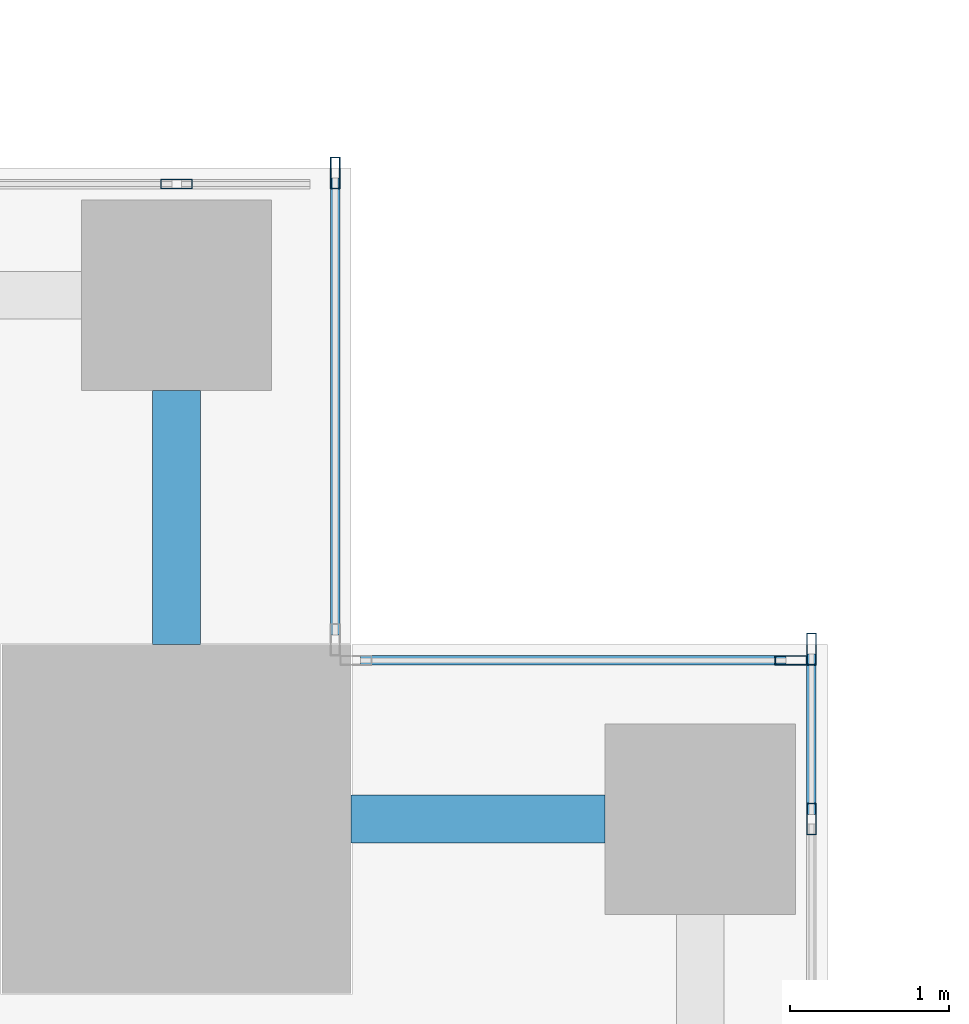
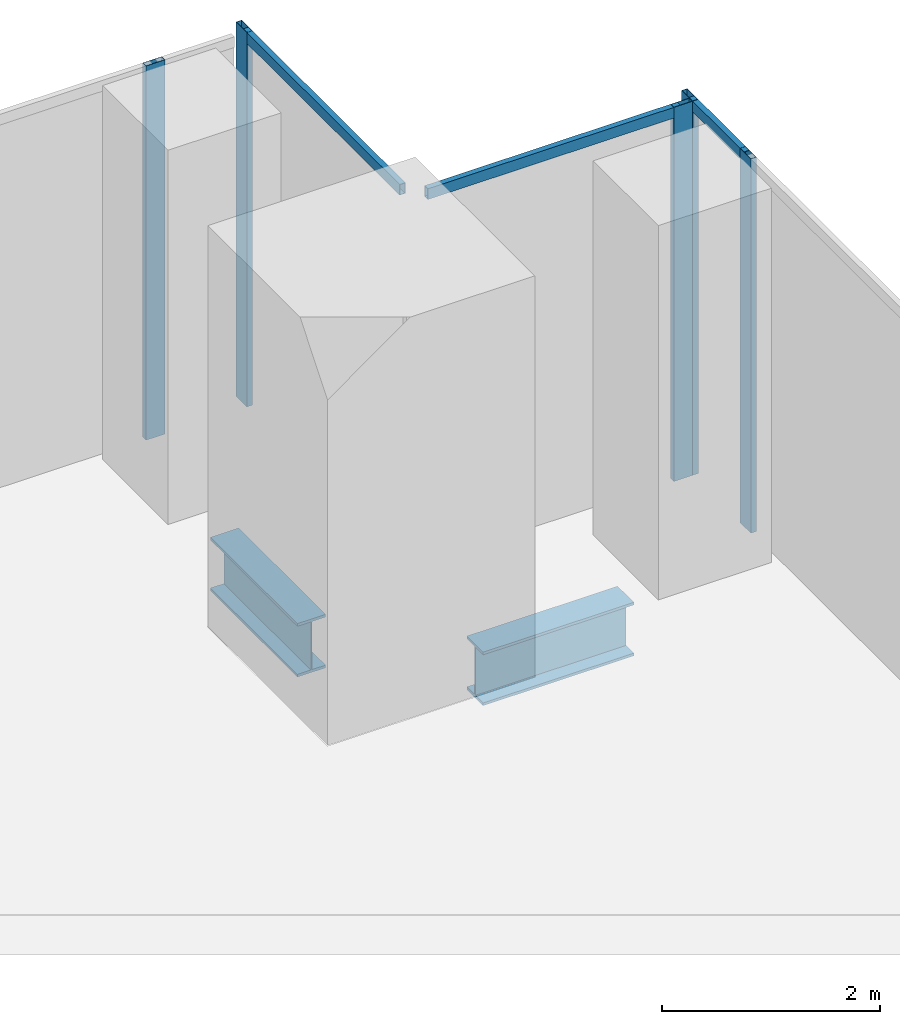
# One storey, part 19 of 32: 8 members, 2 beams, 4 elements without a shape of their own.
"""IFC4 building model written with IfcOpenShell, lengths in metres."""

import ifcopenshell
import ifcopenshell.guid

model = None  # the IFC model being written
_history = None  # IfcOwnerHistory: only IFC2X3 demands one
_inside = {}  # id of a spatial element -> (the spatial element, [elements in it])
_under = {}  # id of a project, library or spatial element -> (it, [spatial elements below it])
_declared = {}  # id of a project -> (the project, [libraries it declares])
_typed = {}  # id of a type object -> (the type object, [elements of that type])
_made_of = {}  # id of a material, layer set ... -> (it, [elements and type objects made of it])


def new_model(schema):
    """Start an empty IFC model of exactly this schema.

    Asked for "IFC4X3", IfcOpenShell would pick the latest addendum, in which some entities
    have other attributes; the version numbers below select the first issue.
    IFC2X3 requires an IfcOwnerHistory on every rooted entity: one is made here for all.
    """
    global model, _history
    if schema == "IFC4X3":
        model = ifcopenshell.file(schema_version=(4, 3, 0, 0))
    else:
        model = ifcopenshell.file(schema=schema)
    _inside.clear()
    _under.clear()
    _declared.clear()
    _typed.clear()
    _made_of.clear()
    _history = None
    if model.schema == "IFC2X3":
        org = make("IfcOrganization", Name="unknown")
        user = make(
            "IfcPersonAndOrganization",
            ThePerson=make("IfcPerson", FamilyName="unknown"),
            TheOrganization=org,
        )
        app = make(
            "IfcApplication",
            ApplicationDeveloper=org,
            Version="unknown",
            ApplicationFullName="unknown",
            ApplicationIdentifier="unknown",
        )
        _history = make(
            "IfcOwnerHistory",
            OwningUser=user,
            OwningApplication=app,
            ChangeAction="ADDED",
            CreationDate=0,
        )
    return model


def make(cls, **values):
    """One entity of the class cls with the attributes given. An attribute that is None is left unset."""
    return model.create_entity(
        cls, **{name: value for name, value in values.items() if value is not None}
    )


def rooted(cls, **values):
    """An entity with a GlobalId (a new one), such as an element, a storey or a relation."""
    return make(cls, GlobalId=ifcopenshell.guid.new(), OwnerHistory=_history, **values)


def si_unit(unit_type, name, prefix=None):
    """IfcSIUnit, for example si_unit("LENGTHUNIT", "METRE", prefix="MILLI")."""
    return make("IfcSIUnit", UnitType=unit_type, Prefix=prefix, Name=name)


def assignment(units):
    """IfcUnitAssignment: the units of a project."""
    return None if units is None else make("IfcUnitAssignment", Units=units)


def point(xyz):
    """IfcCartesianPoint."""
    return None if xyz is None else make("IfcCartesianPoint", Coordinates=xyz)


def direction(xyz):
    """IfcDirection."""
    return None if xyz is None else make("IfcDirection", DirectionRatios=xyz)


def frame(location, z_axis=None, x_axis=None):
    """IfcAxis2Placement3D, a coordinate frame: its origin and axes. An axis left out is left unset."""
    return make(
        "IfcAxis2Placement3D",
        Location=point(location),
        Axis=direction(z_axis),
        RefDirection=direction(x_axis),
    )


def frame_2d(location, x_axis=None):
    """IfcAxis2Placement2D, a coordinate frame in the plane: its origin and x axis."""
    return make(
        "IfcAxis2Placement2D", Location=point(location), RefDirection=direction(x_axis)
    )


def origin():
    """The frame at (0, 0, 0) with its axes left unset."""
    return frame((0.0, 0.0, 0.0))


def origin_2d():
    """The frame at (0, 0) in the plane with its x axis left unset."""
    return frame_2d((0.0, 0.0))


def place(relative_to, where):
    """IfcLocalPlacement: puts the frame where relative to a parent placement (None: the world)."""
    return make(
        "IfcLocalPlacement", PlacementRelTo=relative_to, RelativePlacement=where
    )


def context(
    kind, dimensions, precision=None, world=None, true_north=None, identifier=None
):
    """IfcGeometricRepresentationContext, for example the 3D "Model" context."""
    return make(
        "IfcGeometricRepresentationContext",
        ContextIdentifier=identifier,
        ContextType=kind,
        CoordinateSpaceDimension=dimensions,
        Precision=precision,
        WorldCoordinateSystem=world,
        TrueNorth=true_north,
    )


def subcontext(parent, identifier, kind, view, scale=None):
    """IfcGeometricRepresentationSubContext, for example "Body" below "Model"."""
    return make(
        "IfcGeometricRepresentationSubContext",
        ContextIdentifier=identifier,
        ContextType=kind,
        ParentContext=parent,
        TargetScale=scale,
        TargetView=view,
    )


def project(units=None, contexts=None):
    """IfcProject with its units and contexts."""
    return rooted(
        "IfcProject",
        Name="project",
        RepresentationContexts=contexts,
        UnitsInContext=assignment(units),
    )


def spatial(cls, under=None, at=None, **own):
    """A site, building, storey or space (cls), placed at a placement, below another one or the project."""
    s = rooted(cls, ObjectPlacement=at, **own)
    if under is not None:
        _under.setdefault(under.id(), (under, []))[1].append(s)
    return s


def profile(cls, at=None, kind="AREA", **sizes):
    """A parametric profile (cls). Its sizes go by their IFC names, for example OverallWidth=200.0."""
    return make(cls, ProfileType=kind, Position=at, **sizes)


def hollow_rectangle(**sizes):
    """IfcRectangleHollowProfileDef."""
    return profile("IfcRectangleHollowProfileDef", **sizes)


def i_section(**sizes):
    """IfcIShapeProfileDef."""
    return profile("IfcIShapeProfileDef", **sizes)


def extrude(swept, where, along, depth):
    """IfcExtrudedAreaSolid: the profile swept, set in the frame where, extruded along a direction by depth."""
    return make(
        "IfcExtrudedAreaSolid",
        SweptArea=swept,
        Position=where,
        ExtrudedDirection=direction(along),
        Depth=depth,
    )


def shape(context_of_items, identifier, shape_type, items):
    """IfcShapeRepresentation: the items that make up one representation, for example the "Body"."""
    return make(
        "IfcShapeRepresentation",
        ContextOfItems=context_of_items,
        RepresentationIdentifier=identifier,
        RepresentationType=shape_type,
        Items=items,
    )


def source(mapping_origin, context_of_items, identifier, shape_type, items):
    """IfcRepresentationMap: a shape defined once, which mapped items show again and again."""
    return make(
        "IfcRepresentationMap",
        MappingOrigin=mapping_origin,
        MappedRepresentation=shape(context_of_items, identifier, shape_type, items),
    )


def transform(
    local_origin,
    x_axis=None,
    y_axis=None,
    z_axis=None,
    scale=None,
    scale2=None,
    scale3=None,
    uniform=True,
):
    """IfcCartesianTransformationOperator3D, or its non-uniform kind. x_axis, y_axis, z_axis: its Axis1, 2, 3."""
    if uniform:
        return make(
            "IfcCartesianTransformationOperator3D",
            Axis1=direction(x_axis),
            Axis2=direction(y_axis),
            LocalOrigin=point(local_origin),
            Scale=scale,
            Axis3=direction(z_axis),
        )
    return make(
        "IfcCartesianTransformationOperator3DnonUniform",
        Axis1=direction(x_axis),
        Axis2=direction(y_axis),
        LocalOrigin=point(local_origin),
        Scale=scale,
        Axis3=direction(z_axis),
        Scale2=scale2,
        Scale3=scale3,
    )


def mapped(mapping_source, mapping_target):
    """IfcMappedItem: shows the shape of a source again, moved by a transform."""
    return make(
        "IfcMappedItem", MappingSource=mapping_source, MappingTarget=mapping_target
    )


def material(Name=None, Category=None):
    """IfcMaterial."""
    return make("IfcMaterial", Name=Name, Category=Category)


def material_profile(
    of_material, cross_section, Name=None, Category=None, Priority=None
):
    """IfcMaterialProfile: a cross section and its material."""
    return make(
        "IfcMaterialProfile",
        Name=Name,
        Material=of_material,
        Profile=cross_section,
        Priority=Priority,
        Category=Category,
    )


def profile_set(profiles, Name=None, composite=None):
    """IfcMaterialProfileSet."""
    return make(
        "IfcMaterialProfileSet",
        Name=Name,
        MaterialProfiles=profiles,
        CompositeProfile=composite,
    )


def made_of(thing, what):
    """Note that an element or type object is made of a material, layer set ...; save() writes the relation."""
    if what is not None:
        _made_of.setdefault(what.id(), (what, []))[1].append(thing)
    return thing


def type_object(cls, material=None, **own):
    """A type object (cls), such as IfcWallType, which elements share."""
    return made_of(rooted(cls, **own), material)


def element(
    cls,
    number,
    at=None,
    inside=None,
    cuts=None,
    type_object=None,
    material=None,
    context=None,
    identifier="Body",
    shape_type=None,
    held_by="IfcProductDefinitionShape",
    body=None,
    shapes=None,
    **own,
):
    """One element of the class cls, such as IfcWall. Its Tag is "e" and its number.

    at: its placement. inside: the storey or other place that contains it. cuts: it is an
    opening in that element (IfcRelVoidsElement). A single representation is given by context,
    identifier, shape_type and body (its items); several are given by shapes. held_by: the class
    of the entity that holds the representations. save() writes the other relations.
    """
    e = rooted(cls, Tag="e%d" % number, ObjectPlacement=at, **own)
    if body is not None:
        shapes = [shape(context, identifier, shape_type, body)]
    if shapes is not None:
        e.Representation = make(held_by, Representations=shapes)
    if inside is not None:
        _inside.setdefault(inside.id(), (inside, []))[1].append(e)
    if cuts is not None:
        rooted(
            "IfcRelVoidsElement", RelatingBuildingElement=cuts, RelatedOpeningElement=e
        )
    if type_object is not None:
        _typed.setdefault(type_object.id(), (type_object, []))[1].append(e)
    return made_of(e, material)


def aggregate(whole, parts):
    """IfcRelAggregates: a whole, such as a stair, and the parts it consists of."""
    return rooted("IfcRelAggregates", RelatingObject=whole, RelatedObjects=parts)


def save(model, path):
    """Write the relations noted so far, then the file.

    IfcRelAggregates (storeys below a building ...), IfcRelContainedInSpatialStructure (elements
    in a storey), IfcRelDefinesByType, IfcRelAssociatesMaterial and IfcRelDeclares: one each for
    every whole, place, type object, material and project.
    """
    for whole, parts in _under.values():
        aggregate(whole, parts)
    for where, things in _inside.values():
        rooted(
            "IfcRelContainedInSpatialStructure",
            RelatedElements=things,
            RelatingStructure=where,
        )
    for kind, things in _typed.values():
        rooted("IfcRelDefinesByType", RelatedObjects=things, RelatingType=kind)
    for what, things in _made_of.values():
        rooted("IfcRelAssociatesMaterial", RelatedObjects=things, RelatingMaterial=what)
    for by, libraries in _declared.values():
        rooted("IfcRelDeclares", RelatingContext=by, RelatedDefinitions=libraries)
    model.write(path)


model = new_model("IFC4")

# Units and contexts
model_context = context("Model", 3, precision=1e-05, world=origin(), true_north=direction((0.0, 1.0)))
body_context = subcontext(model_context, "Body", "Model", "MODEL_VIEW")
ifc_project = project(units=[si_unit("LENGTHUNIT", "METRE"), si_unit("AREAUNIT", "SQUARE_METRE"), si_unit("VOLUMEUNIT", "CUBIC_METRE"), si_unit("PLANEANGLEUNIT", "RADIAN"), si_unit("MASSUNIT", "GRAM", prefix="KILO")], contexts=[model_context])

# Site, building, storey
site_placement = place(None, origin())
site = spatial("IfcSite", under=ifc_project, at=site_placement, CompositionType="ELEMENT")
building_placement = place(site_placement, origin())
building = spatial("IfcBuilding", under=site, at=building_placement, Name="Khomas Fold Tower", CompositionType="ELEMENT")
storey_placement = place(building_placement, frame((0.0, 0.0, 37.5)))
storey = spatial("IfcBuildingStorey", under=building, at=storey_placement, Name="L07", CompositionType="ELEMENT", Elevation=37.5)

# Beams
ifc_material_1 = material(Name="Steel S355", Category="steel")
ifc_material_profile_1 = material_profile(ifc_material_1, i_section(OverallWidth=0.300048828125, OverallDepth=0.60009765625, WebThickness=0.015380859375, FlangeThickness=0.030029296875, at=origin_2d()), Name="HE 600 B")
ifc_profile_set_1 = profile_set([ifc_material_profile_1], Name="Steel S355")
beam_type = type_object("IfcBeamType", Name="HE 600 B spandrel SB1", PredefinedType="SPANDREL", material=ifc_profile_set_1)
shared_shape_1 = source(origin(), body_context, "Body", "SweptSolid", [
    extrude(i_section(OverallWidth=0.300048828125, OverallDepth=0.60009765625, WebThickness=0.015380859375, FlangeThickness=0.030029296875, at=origin_2d()), origin(), (0.0, 0.0, 1.0), 1.60009765625),
])
for number, where, z_axis, x_axis, name in (
    (1, (51.0, 49.89990234375, -0.60009765625), (1.0, 0.0, 0.0), (0.0, 1.0, 0.0), "SB1"),
    (2, (49.89990234375, 51.0, -0.60009765625), (0.0, 1.0, 0.0), (-1.0, 0.0, 0.0), "SB1"),
):
    element("IfcBeam", number, at=place(storey_placement, frame(where, z_axis=z_axis, x_axis=x_axis)), inside=storey, type_object=beam_type, Name=name, PredefinedType="SPANDREL", context=body_context, shape_type="MappedRepresentation", body=[
        mapped(shared_shape_1, transform((0.0, 0.0, 0.0))),
    ])

# Curtain wall, member
ifc_material_2 = material(Name="Aluminium framed double glazing", Category="aluminium")
curtain_wall_type = type_object("IfcCurtainWallType", Name="SK-Unitised clear-glass wall, growing floors CW1", PredefinedType="NOTDEFINED", material=ifc_material_2)
curtain_wall_1_placement = place(storey_placement, origin())
curtain_wall_1 = element("IfcCurtainWall", 3, at=curtain_wall_1_placement, inside=storey, type_object=curtain_wall_type, Name="CW1 run L07 03-1", PredefinedType="NOTDEFINED")
ifc_material_3 = material(Name="Aluminium", Category="aluminium")
ifc_material_profile_2 = material_profile(ifc_material_3, hollow_rectangle(XDim=0.06005859375, YDim=0.1201171875, WallThickness=0.00390625, at=origin_2d()), Name="SK-Unitised clear-glass wall, growing floors transom CW1-T")
ifc_profile_set_2 = profile_set([ifc_material_profile_2], Name="Aluminium")
member_type_1 = type_object("IfcMemberType", Name="SK-Unitised clear-glass wall, growing floors transom CW1-T", PredefinedType="USERDEFINED", material=ifc_profile_set_2)
shared_shape_2 = source(origin(), body_context, "Body", "SweptSolid", [
    extrude(hollow_rectangle(XDim=0.06005859375, YDim=0.1201171875, WallThickness=0.00390625, at=origin_2d()), origin(), (0.0, 0.0, 1.0), 1.010009765625),
])
member_1_placement = place(storey_placement, frame((53.89990234375, 49.929931640625, 4.139892578125), z_axis=(0.0, 1.0, 0.0), x_axis=(-1.0, 0.0, 0.0)))
member_1 = element("IfcMember", 4, at=member_1_placement, type_object=member_type_1, Name="CW1 transom 5", ObjectType="TRANSOM", PredefinedType="USERDEFINED", context=body_context, shape_type="MappedRepresentation", body=[
    mapped(shared_shape_2, transform((0.0, 0.0, 0.0))),
])

curtain_wall_2_placement = place(storey_placement, origin())
curtain_wall_2 = element("IfcCurtainWall", 5, at=curtain_wall_2_placement, inside=storey, type_object=curtain_wall_type, Name="CW1 corner return L07 04", PredefinedType="NOTDEFINED")
shared_shape_3 = source(origin(), body_context, "Body", "SweptSolid", [
    extrude(hollow_rectangle(XDim=0.06005859375, YDim=0.1201171875, WallThickness=0.00390625, at=origin_2d()), origin(), (0.0, 0.0, 1.0), 2.679931640625),
])
member_2_placement = place(storey_placement, frame((53.739990234375, 50.89990234375, 4.139892578125), z_axis=(-1.0, 0.0, 0.0), x_axis=(0.0, -1.0, 0.0)))
member_2 = element("IfcMember", 6, at=member_2_placement, type_object=member_type_1, Name="CW1 transom 1", ObjectType="TRANSOM", PredefinedType="USERDEFINED", context=body_context, shape_type="MappedRepresentation", body=[
    mapped(shared_shape_3, transform((0.0, 0.0, 0.0))),
])

curtain_wall_3_placement = place(storey_placement, origin())
curtain_wall_3 = element("IfcCurtainWall", 7, at=curtain_wall_3_placement, inside=storey, type_object=curtain_wall_type, Name="CW1 corner return L07 05", PredefinedType="NOTDEFINED")
shared_shape_4 = source(origin(), body_context, "Body", "SweptSolid", [
    extrude(hollow_rectangle(XDim=0.06005859375, YDim=0.1201171875, WallThickness=0.00390625, at=origin_2d()), origin(), (0.0, 0.0, 1.0), 2.8798828125),
])
member_3_placement = place(storey_placement, frame((50.89990234375, 51.06005859375, 4.139892578125), z_axis=(0.0, 1.0, 0.0), x_axis=(-1.0, 0.0, 0.0)))
member_3 = element("IfcMember", 8, at=member_3_placement, type_object=member_type_1, Name="CW1 transom 1", ObjectType="TRANSOM", PredefinedType="USERDEFINED", context=body_context, shape_type="MappedRepresentation", body=[
    mapped(shared_shape_4, transform((0.0, 0.0, 0.0))),
])

# Member
ifc_material_4 = material(Name="Aluminium", Category="aluminium")
ifc_material_profile_3 = material_profile(ifc_material_4, hollow_rectangle(XDim=0.06005859375, YDim=0.199951171875, WallThickness=0.00390625, at=origin_2d()), Name="SK-Unitised clear-glass wall, growing floors mullion CW1-M")
ifc_profile_set_3 = profile_set([ifc_material_profile_3], Name="Aluminium")
member_type_2 = type_object("IfcMemberType", Name="SK-Unitised clear-glass wall, growing floors mullion CW1-M", PredefinedType="MULLION", material=ifc_profile_set_3)
shared_shape_5 = source(origin(), body_context, "Body", "SweptSolid", [
    extrude(hollow_rectangle(XDim=0.06005859375, YDim=0.199951171875, WallThickness=0.00390625, at=origin_2d()), origin(), (0.0, 0.0, 1.0), 4.199951171875),
])
member_4_placement = place(storey_placement, frame((53.89990234375, 49.89990234375, 0.0), z_axis=(0.0, 0.0, 1.0), x_axis=(-1.0, 0.0, 0.0)))
member_4 = element("IfcMember", 9, at=member_4_placement, type_object=member_type_2, Name="CW1 mullion 5", PredefinedType="MULLION", context=body_context, shape_type="MappedRepresentation", body=[
    mapped(shared_shape_5, transform((0.0, 0.0, 0.0))),
])

member_5_placement = place(storey_placement, frame((53.89990234375, 50.969970703125, 0.0), z_axis=(0.0, 0.0, 1.0), x_axis=(-1.0, 0.0, 0.0)))
member_5 = element("IfcMember", 10, at=member_5_placement, type_object=member_type_2, Name="CW1 mullion 6", PredefinedType="MULLION", context=body_context, shape_type="MappedRepresentation", body=[
    mapped(shared_shape_5, transform((0.0, 0.0, 0.0))),
])

aggregate(curtain_wall_1, [member_4, member_5, member_1])

member_6_placement = place(storey_placement, frame((53.77001953125, 50.89990234375, 0.0), z_axis=(0.0, 0.0, 1.0), x_axis=(0.0, -1.0, 0.0)))
member_6 = element("IfcMember", 11, at=member_6_placement, type_object=member_type_2, Name="CW1 mullion 1", PredefinedType="MULLION", context=body_context, shape_type="MappedRepresentation", body=[
    mapped(shared_shape_5, transform((0.0, 0.0, 0.0))),
])

aggregate(curtain_wall_2, [member_6, member_2])

member_7_placement = place(storey_placement, frame((50.89990234375, 53.969970703125, 0.0), z_axis=(0.0, 0.0, 1.0), x_axis=(-1.0, 0.0, 0.0)))
member_7 = element("IfcMember", 12, at=member_7_placement, type_object=member_type_2, Name="CW1 mullion 2", PredefinedType="MULLION", context=body_context, shape_type="MappedRepresentation", body=[
    mapped(shared_shape_5, transform((0.0, 0.0, 0.0))),
])

aggregate(curtain_wall_3, [member_7, member_3])

# Curtain wall, member
curtain_wall_4_placement = place(storey_placement, origin())
curtain_wall_4 = element("IfcCurtainWall", 13, at=curtain_wall_4_placement, inside=storey, type_object=curtain_wall_type, Name="CW1 run L07 06-0", PredefinedType="NOTDEFINED")
member_8_placement = place(storey_placement, frame((49.89990234375, 53.89990234375, 0.0), z_axis=(0.0, 0.0, 1.0), x_axis=(0.0, -1.0, 0.0)))
member_8 = element("IfcMember", 14, at=member_8_placement, type_object=member_type_2, Name="CW1 mullion 2", PredefinedType="MULLION", context=body_context, shape_type="MappedRepresentation", body=[
    mapped(shared_shape_5, transform((0.0, 0.0, 0.0))),
])
aggregate(curtain_wall_4, [member_8])

save(model, "model.ifc")
